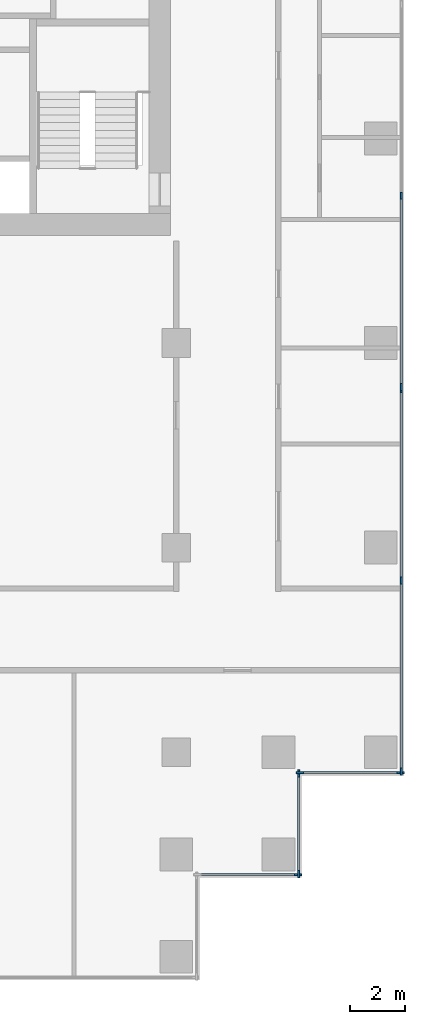
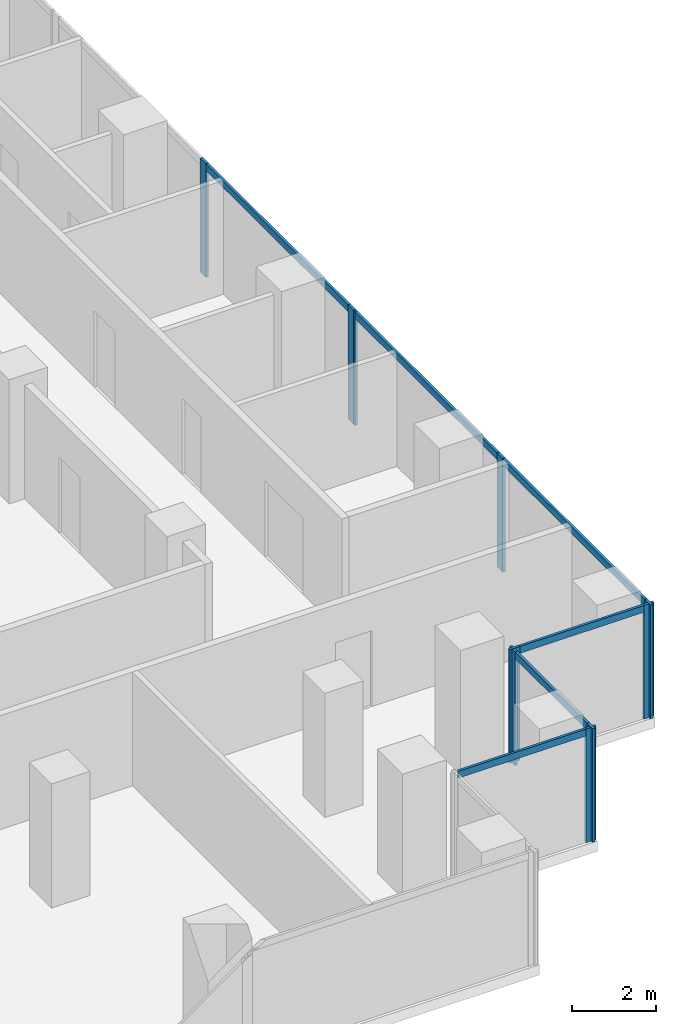
# One storey, part 3 of 10: 16 members, 5 elements without a shape of their own.
"""IFC4 building model written with IfcOpenShell, lengths in metres."""

from ifc_helpers import new_model, si_unit, direction, frame, origin, origin_2d, place, context, subcontext, project, spatial, rectangle, extrude, material, material_profile, profile_set, type_object, element, aggregate, save


model = new_model("IFC4")

# Units and contexts
model_context = context("Model", 3, precision=1e-05, world=origin(), true_north=direction((0.0, 1.0)))
body_context = subcontext(model_context, "Body", "Model", "MODEL_VIEW")
ifc_project = project(units=[si_unit("LENGTHUNIT", "METRE"), si_unit("AREAUNIT", "SQUARE_METRE"), si_unit("VOLUMEUNIT", "CUBIC_METRE"), si_unit("PLANEANGLEUNIT", "RADIAN"), si_unit("MASSUNIT", "GRAM", prefix="KILO")], contexts=[model_context])

# Site, building, storey
site_placement = place(None, origin())
site = spatial("IfcSite", under=ifc_project, at=site_placement, CompositionType="ELEMENT")
building_placement = place(site_placement, origin())
building = spatial("IfcBuilding", under=site, at=building_placement, Name="Pilkhan Gate Tower", CompositionType="ELEMENT")
storey_placement = place(building_placement, frame((0.0, 0.0, 176.5)))
storey = spatial("IfcBuildingStorey", under=building, at=storey_placement, Name="L45", CompositionType="ELEMENT", Elevation=176.5)

# Curtain wall, members
ifc_material_1 = material(Name="Pale anodised aluminium, clear low-iron double glazing", Category="aluminium")
curtain_wall_type = type_object("IfcCurtainWallType", Name="Office unitised curtain wall CW-O1", PredefinedType="USERDEFINED", material=ifc_material_1)
curtain_wall_1_placement = place(storey_placement, origin())
curtain_wall_1 = element("IfcCurtainWall", 1, at=curtain_wall_1_placement, inside=storey, type_object=curtain_wall_type, Name="Office unitised curtain wall CW-O1 L45 E", ObjectType="UNITISED CURTAIN WALL", PredefinedType="USERDEFINED")
ifc_material_2 = material(Name="Pale anodised aluminium", Category="aluminium")
ifc_material_profile_1 = material_profile(ifc_material_2, rectangle(XDim=0.070068359375, YDim=0.27490234375, at=origin_2d()), Name="Mullion 275x70")
ifc_profile_set_1 = profile_set([ifc_material_profile_1], Name="Pale anodised aluminium")
member_type_1 = type_object("IfcMemberType", Name="Mullion CW-O1 275x70", PredefinedType="MULLION", material=ifc_profile_set_1)
member_1_placement = place(storey_placement, frame((98.25, 51.784912109375, 0.0), z_axis=(0.0, 0.0, 1.0), x_axis=(-1.0, 0.0, 0.0)))
member_1 = element("IfcMember", 2, at=member_1_placement, type_object=member_type_1, Name="CW-O1 mullion 1", PredefinedType="MULLION", context=body_context, shape_type="SweptSolid", body=[
    extrude(rectangle(XDim=0.070068359375, YDim=0.27490234375, at=origin_2d()), origin(), (0.0, 0.0, 1.0), 3.300048828125),
])
member_2_placement = place(storey_placement, frame((98.25, 58.800048828125, 0.0), z_axis=(0.0, 0.0, 1.0), x_axis=(-1.0, 0.0, 0.0)))
member_2 = element("IfcMember", 3, at=member_2_placement, type_object=member_type_1, Name="CW-O1 mullion 2", PredefinedType="MULLION", context=body_context, shape_type="SweptSolid", body=[
    extrude(rectangle(XDim=0.070068359375, YDim=0.27490234375, at=origin_2d()), origin(), (0.0, 0.0, 1.0), 3.300048828125),
])
member_3_placement = place(storey_placement, frame((98.25, 65.81494140625, 0.0), z_axis=(0.0, 0.0, 1.0), x_axis=(-1.0, 0.0, 0.0)))
member_3 = element("IfcMember", 4, at=member_3_placement, type_object=member_type_1, Name="CW-O1 mullion 3", PredefinedType="MULLION", context=body_context, shape_type="SweptSolid", body=[
    extrude(rectangle(XDim=0.070068359375, YDim=0.27490234375, at=origin_2d()), origin(), (0.0, 0.0, 1.0), 3.300048828125),
])

curtain_wall_2_placement = place(storey_placement, origin())
curtain_wall_2 = element("IfcCurtainWall", 5, at=curtain_wall_2_placement, inside=storey, type_object=curtain_wall_type, Name="Office unitised curtain wall CW-O1 L45 E", ObjectType="UNITISED CURTAIN WALL", PredefinedType="USERDEFINED")
member_4_placement = place(storey_placement, frame((98.25, 65.885009765625, 0.0), z_axis=(0.0, 0.0, 1.0), x_axis=(-1.0, 0.0, 0.0)))
member_4 = element("IfcMember", 6, at=member_4_placement, type_object=member_type_1, Name="CW-O1 mullion 1", PredefinedType="MULLION", context=body_context, shape_type="SweptSolid", body=[
    extrude(rectangle(XDim=0.070068359375, YDim=0.27490234375, at=origin_2d()), origin(), (0.0, 0.0, 1.0), 3.300048828125),
])
member_5_placement = place(storey_placement, frame((98.25, 72.89990234375, 0.0), z_axis=(0.0, 0.0, 1.0), x_axis=(-1.0, 0.0, 0.0)))
member_5 = element("IfcMember", 7, at=member_5_placement, type_object=member_type_1, Name="CW-O1 mullion 2", PredefinedType="MULLION", context=body_context, shape_type="SweptSolid", body=[
    extrude(rectangle(XDim=0.070068359375, YDim=0.27490234375, at=origin_2d()), origin(), (0.0, 0.0, 1.0), 3.300048828125),
])

# Curtain wall, member
curtain_wall_3_placement = place(storey_placement, origin())
curtain_wall_3 = element("IfcCurtainWall", 8, at=curtain_wall_3_placement, inside=storey, type_object=curtain_wall_type, Name="Office unitised curtain wall CW-O1 L45 S", ObjectType="UNITISED CURTAIN WALL", PredefinedType="USERDEFINED")
member_6_placement = place(storey_placement, frame((94.465087890625, 48.0, 0.0), z_axis=(0.0, 0.0, 1.0), x_axis=(0.0, 1.0, 0.0)))
member_6 = element("IfcMember", 9, at=member_6_placement, type_object=member_type_1, Name="CW-O1 mullion 2", PredefinedType="MULLION", context=body_context, shape_type="SweptSolid", body=[
    extrude(rectangle(XDim=0.070068359375, YDim=0.27490234375, at=origin_2d()), origin(), (0.0, 0.0, 1.0), 3.300048828125),
])

# Curtain wall, members
curtain_wall_4_placement = place(storey_placement, origin())
curtain_wall_4 = element("IfcCurtainWall", 10, at=curtain_wall_4_placement, inside=storey, type_object=curtain_wall_type, Name="Office unitised curtain wall CW-O1 L45 E", ObjectType="UNITISED CURTAIN WALL", PredefinedType="USERDEFINED")
member_7_placement = place(storey_placement, frame((94.5, 48.034912109375, 0.0), z_axis=(0.0, 0.0, 1.0), x_axis=(-1.0, 0.0, 0.0)))
member_7 = element("IfcMember", 11, at=member_7_placement, type_object=member_type_1, Name="CW-O1 mullion 1", PredefinedType="MULLION", context=body_context, shape_type="SweptSolid", body=[
    extrude(rectangle(XDim=0.070068359375, YDim=0.27490234375, at=origin_2d()), origin(), (0.0, 0.0, 1.0), 3.300048828125),
])
member_8_placement = place(storey_placement, frame((94.5, 51.715087890625, 0.0), z_axis=(0.0, 0.0, 1.0), x_axis=(-1.0, 0.0, 0.0)))
member_8 = element("IfcMember", 12, at=member_8_placement, type_object=member_type_1, Name="CW-O1 mullion 2", PredefinedType="MULLION", context=body_context, shape_type="SweptSolid", body=[
    extrude(rectangle(XDim=0.070068359375, YDim=0.27490234375, at=origin_2d()), origin(), (0.0, 0.0, 1.0), 3.300048828125),
])

curtain_wall_5_placement = place(storey_placement, origin())
curtain_wall_5 = element("IfcCurtainWall", 13, at=curtain_wall_5_placement, inside=storey, type_object=curtain_wall_type, Name="Office unitised curtain wall CW-O1 L45 S", ObjectType="UNITISED CURTAIN WALL", PredefinedType="USERDEFINED")
member_9_placement = place(storey_placement, frame((94.534912109375, 51.75, 0.0), z_axis=(0.0, 0.0, 1.0), x_axis=(0.0, 1.0, 0.0)))
member_9 = element("IfcMember", 14, at=member_9_placement, type_object=member_type_1, Name="CW-O1 mullion 1", PredefinedType="MULLION", context=body_context, shape_type="SweptSolid", body=[
    extrude(rectangle(XDim=0.070068359375, YDim=0.27490234375, at=origin_2d()), origin(), (0.0, 0.0, 1.0), 3.300048828125),
])
member_10_placement = place(storey_placement, frame((98.215087890625, 51.75, 0.0), z_axis=(0.0, 0.0, 1.0), x_axis=(0.0, 1.0, 0.0)))
member_10 = element("IfcMember", 15, at=member_10_placement, type_object=member_type_1, Name="CW-O1 mullion 2", PredefinedType="MULLION", context=body_context, shape_type="SweptSolid", body=[
    extrude(rectangle(XDim=0.070068359375, YDim=0.27490234375, at=origin_2d()), origin(), (0.0, 0.0, 1.0), 3.300048828125),
])

# Member
ifc_material_profile_2 = material_profile(ifc_material_2, rectangle(XDim=0.070068359375, YDim=0.199951171875, at=origin_2d()), Name="Transom 200x70")
ifc_profile_set_2 = profile_set([ifc_material_profile_2], Name="Pale anodised aluminium")
member_type_2 = type_object("IfcMemberType", Name="Transom CW-O1 200x70", PredefinedType="USERDEFINED", material=ifc_profile_set_2)
member_11_placement = place(storey_placement, frame((98.25, 51.820068359375, 3.199951171875), z_axis=(0.0, 1.0, 0.0), x_axis=(-1.0, 0.0, 0.0)))
member_11 = element("IfcMember", 16, at=member_11_placement, type_object=member_type_2, Name="CW-O1 transom 1", ObjectType="TRANSOM", PredefinedType="USERDEFINED", context=body_context, shape_type="SweptSolid", body=[
    extrude(rectangle(XDim=0.070068359375, YDim=0.199951171875, at=origin_2d()), origin(), (0.0, 0.0, 1.0), 6.94482421875),
])

member_12_placement = place(storey_placement, frame((98.25, 58.8349609375, 3.199951171875), z_axis=(0.0, 1.0, 0.0), x_axis=(-1.0, 0.0, 0.0)))
member_12 = element("IfcMember", 17, at=member_12_placement, type_object=member_type_2, Name="CW-O1 transom 2", ObjectType="TRANSOM", PredefinedType="USERDEFINED", context=body_context, shape_type="SweptSolid", body=[
    extrude(rectangle(XDim=0.070068359375, YDim=0.199951171875, at=origin_2d()), origin(), (0.0, 0.0, 1.0), 6.945068359375),
])

aggregate(curtain_wall_1, [member_1, member_2, member_3, member_11, member_12])

member_13_placement = place(storey_placement, frame((98.25, 65.919921875, 3.199951171875), z_axis=(0.0, 1.0, 0.0), x_axis=(-1.0, 0.0, 0.0)))
member_13 = element("IfcMember", 18, at=member_13_placement, type_object=member_type_2, Name="CW-O1 transom 1", ObjectType="TRANSOM", PredefinedType="USERDEFINED", context=body_context, shape_type="SweptSolid", body=[
    extrude(rectangle(XDim=0.070068359375, YDim=0.199951171875, at=origin_2d()), origin(), (0.0, 0.0, 1.0), 6.945068359375),
])

aggregate(curtain_wall_2, [member_4, member_5, member_13])

member_14_placement = place(storey_placement, frame((90.820068359375, 48.0, 3.199951171875), z_axis=(1.0, 0.0, 0.0), x_axis=(0.0, 1.0, 0.0)))
member_14 = element("IfcMember", 19, at=member_14_placement, type_object=member_type_2, Name="CW-O1 transom 1", ObjectType="TRANSOM", PredefinedType="USERDEFINED", context=body_context, shape_type="SweptSolid", body=[
    extrude(rectangle(XDim=0.070068359375, YDim=0.199951171875, at=origin_2d()), origin(), (0.0, 0.0, 1.0), 3.60986328125),
])

aggregate(curtain_wall_3, [member_6, member_14])

member_15_placement = place(storey_placement, frame((94.5, 48.070068359375, 3.199951171875), z_axis=(0.0, 1.0, 0.0), x_axis=(-1.0, 0.0, 0.0)))
member_15 = element("IfcMember", 20, at=member_15_placement, type_object=member_type_2, Name="CW-O1 transom 1", ObjectType="TRANSOM", PredefinedType="USERDEFINED", context=body_context, shape_type="SweptSolid", body=[
    extrude(rectangle(XDim=0.070068359375, YDim=0.199951171875, at=origin_2d()), origin(), (0.0, 0.0, 1.0), 3.60986328125),
])

aggregate(curtain_wall_4, [member_7, member_8, member_15])

member_16_placement = place(storey_placement, frame((94.570068359375, 51.75, 3.199951171875), z_axis=(1.0, 0.0, 0.0), x_axis=(0.0, 1.0, 0.0)))
member_16 = element("IfcMember", 21, at=member_16_placement, type_object=member_type_2, Name="CW-O1 transom 1", ObjectType="TRANSOM", PredefinedType="USERDEFINED", context=body_context, shape_type="SweptSolid", body=[
    extrude(rectangle(XDim=0.070068359375, YDim=0.199951171875, at=origin_2d()), origin(), (0.0, 0.0, 1.0), 3.60986328125),
])

aggregate(curtain_wall_5, [member_9, member_10, member_16])

save(model, "model.ifc")
